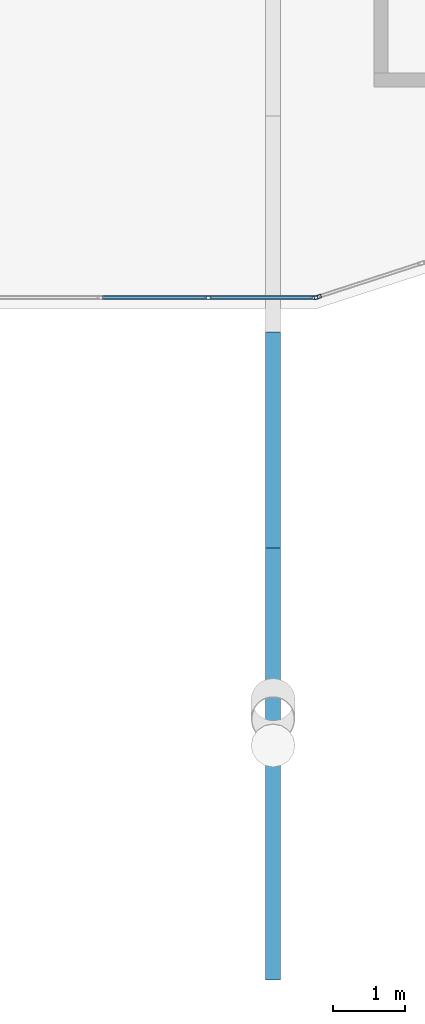
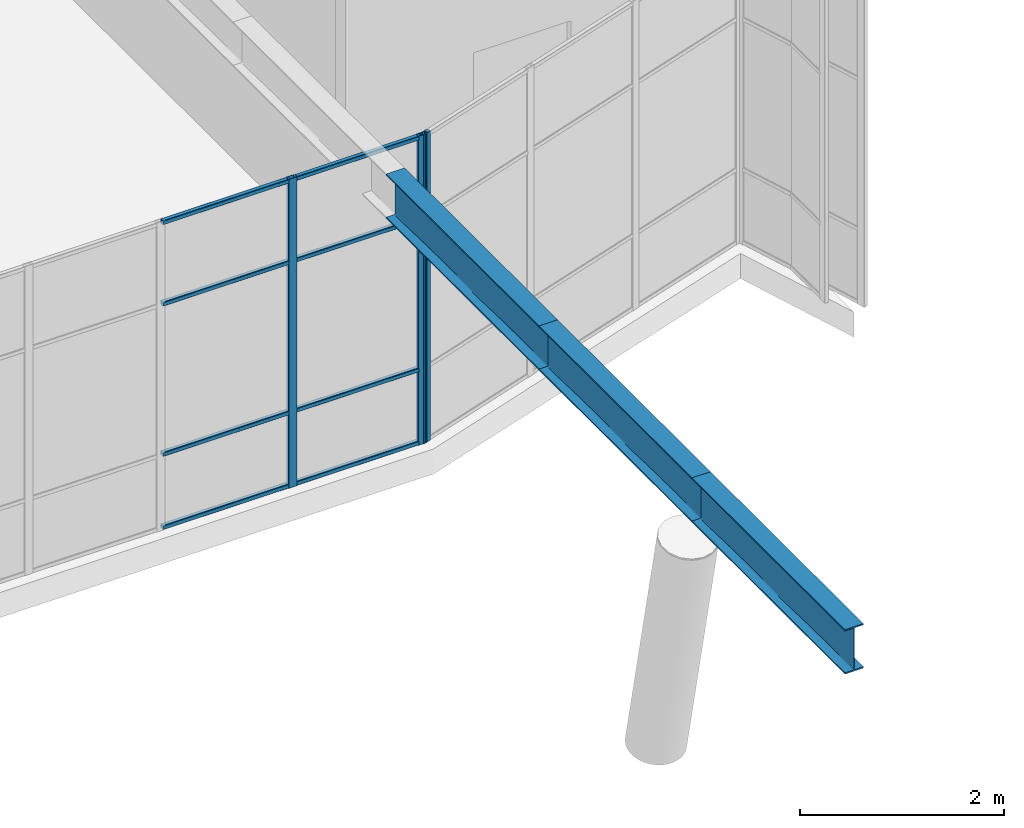
# One storey, part 8 of 65: 14 members, 2 elements without a shape of their own.
"""IFC4 building model written with IfcOpenShell, lengths in metres."""

from ifc_helpers import new_model, si_unit, direction, frame, origin, origin_2d, place, context, subcontext, project, spatial, hollow_rectangle, i_section, extrude, material, layer, layer_set, material_profile, profile_set, type_object, element, aggregate, save


model = new_model("IFC4")

# Units and contexts
model_context = context("Model", 3, precision=1e-05, world=origin(), true_north=direction((0.0, 1.0)))
body_context = subcontext(model_context, "Body", "Model", "MODEL_VIEW")
ifc_project = project(units=[si_unit("LENGTHUNIT", "METRE"), si_unit("AREAUNIT", "SQUARE_METRE"), si_unit("VOLUMEUNIT", "CUBIC_METRE"), si_unit("PLANEANGLEUNIT", "RADIAN"), si_unit("MASSUNIT", "GRAM", prefix="KILO")], contexts=[model_context])

# Site, building, storey
site_placement = place(None, origin())
site = spatial("IfcSite", under=ifc_project, at=site_placement, CompositionType="ELEMENT")
building_placement = place(site_placement, origin())
building = spatial("IfcBuilding", under=site, at=building_placement, Name="Tuart Plaza Theatre", CompositionType="ELEMENT")
storey_placement = place(building_placement, frame((0.0, 0.0, 9.5)))
storey = spatial("IfcBuildingStorey", under=building, at=storey_placement, Name="L02", CompositionType="ELEMENT", Elevation=9.5)

# Members
ifc_material_1 = material(Name="Steel Grade 300", Category="steel")
ifc_material_profile_1 = material_profile(ifc_material_1, i_section(OverallWidth=0.208984375, OverallDepth=0.532958984375, WebThickness=0.01025390625, FlangeThickness=0.015625, FilletRadius=0.013916015625, at=origin_2d()), Name="530UB92.4")
ifc_profile_set_1 = profile_set([ifc_material_profile_1], Name="Steel Grade 300")
member_type_1 = type_object("IfcMemberType", Name="BELT TRUSS Chord 530UB92.4", PredefinedType="CHORD", material=ifc_profile_set_1)
for number, where, z_axis, x_axis, name in (
    (1, (105.0, 32.0, 3.47998046875), (0.0, 1.0, 0.0), (-1.0, 0.0, 0.0), "CH54"),
    (2, (105.0, 35.0, 3.47998046875), (0.0, 1.0, 0.0), (-1.0, 0.0, 0.0), "CH55"),
    (3, (105.0, 38.0, 3.47998046875), (0.0, 1.0, 0.0), (-1.0, 0.0, 0.0), "CH56"),
):
    element("IfcMember", number, at=place(storey_placement, frame(where, z_axis=z_axis, x_axis=x_axis)), inside=storey, type_object=member_type_1, Name=name, PredefinedType="CHORD", context=body_context, shape_type="SweptSolid", body=[
        extrude(i_section(OverallWidth=0.208984375, OverallDepth=0.532958984375, WebThickness=0.01025390625, FlangeThickness=0.015625, FilletRadius=0.013916015625, at=origin_2d()), origin(), (0.0, 0.0, 1.0), 3.0),
    ])

# Curtain wall, members
ifc_material_2 = material(Name="Aluminium and glass", Category="aluminium")
ifc_layer = layer(ifc_material_2, 0.10009765625)
ifc_layer_set = layer_set([ifc_layer], Name="CURTAIN WALL 1500 module")
curtain_wall_type = type_object("IfcCurtainWallType", Name="CURTAIN WALL 1500 module", PredefinedType="NOTDEFINED", material=ifc_layer_set)
curtain_wall_1_placement = place(storey_placement, origin())
curtain_wall_1 = element("IfcCurtainWall", 4, at=curtain_wall_1_placement, inside=storey, type_object=curtain_wall_type, Name="CW30", PredefinedType="NOTDEFINED")
ifc_material_3 = material(Name="Aluminium 6063-T5", Category="aluminium")
ifc_material_profile_2 = material_profile(ifc_material_3, hollow_rectangle(XDim=0.050048828125, YDim=0.10009765625, WallThickness=0.00390625, InnerFilletRadius=0.00390625, OuterFilletRadius=0.008056640625, at=origin_2d()), Name="RHS 100x50x4")
ifc_profile_set_2 = profile_set([ifc_material_profile_2], Name="Aluminium 6063-T5")
member_type_2 = type_object("IfcMemberType", Name="MULLION RHS 100x50x4", PredefinedType="MULLION", material=ifc_profile_set_2)
member_1_placement = place(storey_placement, frame((104.10107421875, 41.47900390625, 0.0), z_axis=(0.0, 0.0, 1.0), x_axis=(0.0, 1.0, 0.0)))
member_1 = element("IfcMember", 5, at=member_1_placement, type_object=member_type_2, Name="CW30 mullion 5", PredefinedType="MULLION", context=body_context, shape_type="SweptSolid", body=[
    extrude(hollow_rectangle(XDim=0.050048828125, YDim=0.10009765625, WallThickness=0.00390625, InnerFilletRadius=0.00390625, OuterFilletRadius=0.008056640625, at=origin_2d()), origin(), (0.0, 0.0, 1.0), 3.699951171875),
])
member_2_placement = place(storey_placement, frame((105.5712890625, 41.47900390625, 0.0), z_axis=(0.0, 0.0, 1.0), x_axis=(0.0, 1.0, 0.0)))
member_2 = element("IfcMember", 6, at=member_2_placement, type_object=member_type_2, Name="CW30 mullion 6", PredefinedType="MULLION", context=body_context, shape_type="SweptSolid", body=[
    extrude(hollow_rectangle(XDim=0.050048828125, YDim=0.10009765625, WallThickness=0.00390625, InnerFilletRadius=0.00390625, OuterFilletRadius=0.008056640625, at=origin_2d()), origin(), (0.0, 0.0, 1.0), 3.699951171875),
])

# Curtain wall, member
curtain_wall_2_placement = place(storey_placement, origin())
curtain_wall_2 = element("IfcCurtainWall", 7, at=curtain_wall_2_placement, inside=storey, type_object=curtain_wall_type, Name="CW31", PredefinedType="NOTDEFINED")
member_3_placement = place(storey_placement, frame((105.6201171875, 41.48681640625, 0.0), z_axis=(0.0, 0.0, 1.0), x_axis=(-0.308885075459, 0.951099369235, 0.0)))
member_3 = element("IfcMember", 8, at=member_3_placement, type_object=member_type_2, Name="CW31 mullion 1", PredefinedType="MULLION", context=body_context, shape_type="SweptSolid", body=[
    extrude(hollow_rectangle(XDim=0.050048828125, YDim=0.10009765625, WallThickness=0.00390625, InnerFilletRadius=0.00390625, OuterFilletRadius=0.008056640625, at=origin_2d()), origin(), (0.0, 0.0, 1.0), 3.699951171875),
])
aggregate(curtain_wall_2, [member_3])

# Member
ifc_material_4 = material(Name="Aluminium 6063-T5", Category="aluminium")
ifc_material_profile_3 = material_profile(ifc_material_4, hollow_rectangle(XDim=0.050048828125, YDim=0.050048828125, WallThickness=0.00390625, InnerFilletRadius=0.00390625, OuterFilletRadius=0.008056640625, at=origin_2d()), Name="RHS 50x50x4")
ifc_profile_set_3 = profile_set([ifc_material_profile_3], Name="Aluminium 6063-T5")
member_type_3 = type_object("IfcMemberType", Name="TRANSOM RHS 50x50x4", PredefinedType="USERDEFINED", material=ifc_profile_set_3)
member_4_placement = place(storey_placement, frame((102.630859375, 41.47900390625, 0.02490234375), z_axis=(1.0, 0.0, 0.0), x_axis=(0.0, 1.0, 0.0)))
member_4 = element("IfcMember", 9, at=member_4_placement, type_object=member_type_3, Name="CW30 transom 4.1", ObjectType="TRANSOM", PredefinedType="USERDEFINED", context=body_context, shape_type="SweptSolid", body=[
    extrude(hollow_rectangle(XDim=0.050048828125, YDim=0.050048828125, WallThickness=0.00390625, InnerFilletRadius=0.00390625, OuterFilletRadius=0.008056640625, at=origin_2d()), origin(), (0.0, 0.0, 1.0), 1.445068359375),
])

member_5_placement = place(storey_placement, frame((102.630859375, 41.47900390625, 0.89990234375), z_axis=(1.0, 0.0, 0.0), x_axis=(0.0, 1.0, 0.0)))
member_5 = element("IfcMember", 10, at=member_5_placement, type_object=member_type_3, Name="CW30 transom 4.2", ObjectType="TRANSOM", PredefinedType="USERDEFINED", context=body_context, shape_type="SweptSolid", body=[
    extrude(hollow_rectangle(XDim=0.050048828125, YDim=0.050048828125, WallThickness=0.00390625, InnerFilletRadius=0.00390625, OuterFilletRadius=0.008056640625, at=origin_2d()), origin(), (0.0, 0.0, 1.0), 1.445068359375),
])

member_6_placement = place(storey_placement, frame((102.630859375, 41.47900390625, 2.699951171875), z_axis=(1.0, 0.0, 0.0), x_axis=(0.0, 1.0, 0.0)))
member_6 = element("IfcMember", 11, at=member_6_placement, type_object=member_type_3, Name="CW30 transom 4.3", ObjectType="TRANSOM", PredefinedType="USERDEFINED", context=body_context, shape_type="SweptSolid", body=[
    extrude(hollow_rectangle(XDim=0.050048828125, YDim=0.050048828125, WallThickness=0.00390625, InnerFilletRadius=0.00390625, OuterFilletRadius=0.008056640625, at=origin_2d()), origin(), (0.0, 0.0, 1.0), 1.445068359375),
])

member_7_placement = place(storey_placement, frame((102.630859375, 41.47900390625, 3.675048828125), z_axis=(1.0, 0.0, 0.0), x_axis=(0.0, 1.0, 0.0)))
member_7 = element("IfcMember", 12, at=member_7_placement, type_object=member_type_3, Name="CW30 transom 4.4", ObjectType="TRANSOM", PredefinedType="USERDEFINED", context=body_context, shape_type="SweptSolid", body=[
    extrude(hollow_rectangle(XDim=0.050048828125, YDim=0.050048828125, WallThickness=0.00390625, InnerFilletRadius=0.00390625, OuterFilletRadius=0.008056640625, at=origin_2d()), origin(), (0.0, 0.0, 1.0), 1.445068359375),
])

member_8_placement = place(storey_placement, frame((104.1259765625, 41.47900390625, 0.02490234375), z_axis=(1.0, 0.0, 0.0), x_axis=(0.0, 1.0, 0.0)))
member_8 = element("IfcMember", 13, at=member_8_placement, type_object=member_type_3, Name="CW30 transom 5.1", ObjectType="TRANSOM", PredefinedType="USERDEFINED", context=body_context, shape_type="SweptSolid", body=[
    extrude(hollow_rectangle(XDim=0.050048828125, YDim=0.050048828125, WallThickness=0.00390625, InnerFilletRadius=0.00390625, OuterFilletRadius=0.008056640625, at=origin_2d()), origin(), (0.0, 0.0, 1.0), 1.420166015625),
])

member_9_placement = place(storey_placement, frame((104.1259765625, 41.47900390625, 0.89990234375), z_axis=(1.0, 0.0, 0.0), x_axis=(0.0, 1.0, 0.0)))
member_9 = element("IfcMember", 14, at=member_9_placement, type_object=member_type_3, Name="CW30 transom 5.2", ObjectType="TRANSOM", PredefinedType="USERDEFINED", context=body_context, shape_type="SweptSolid", body=[
    extrude(hollow_rectangle(XDim=0.050048828125, YDim=0.050048828125, WallThickness=0.00390625, InnerFilletRadius=0.00390625, OuterFilletRadius=0.008056640625, at=origin_2d()), origin(), (0.0, 0.0, 1.0), 1.420166015625),
])

member_10_placement = place(storey_placement, frame((104.1259765625, 41.47900390625, 2.699951171875), z_axis=(1.0, 0.0, 0.0), x_axis=(0.0, 1.0, 0.0)))
member_10 = element("IfcMember", 15, at=member_10_placement, type_object=member_type_3, Name="CW30 transom 5.3", ObjectType="TRANSOM", PredefinedType="USERDEFINED", context=body_context, shape_type="SweptSolid", body=[
    extrude(hollow_rectangle(XDim=0.050048828125, YDim=0.050048828125, WallThickness=0.00390625, InnerFilletRadius=0.00390625, OuterFilletRadius=0.008056640625, at=origin_2d()), origin(), (0.0, 0.0, 1.0), 1.420166015625),
])

member_11_placement = place(storey_placement, frame((104.1259765625, 41.47900390625, 3.675048828125), z_axis=(1.0, 0.0, 0.0), x_axis=(0.0, 1.0, 0.0)))
member_11 = element("IfcMember", 16, at=member_11_placement, type_object=member_type_3, Name="CW30 transom 5.4", ObjectType="TRANSOM", PredefinedType="USERDEFINED", context=body_context, shape_type="SweptSolid", body=[
    extrude(hollow_rectangle(XDim=0.050048828125, YDim=0.050048828125, WallThickness=0.00390625, InnerFilletRadius=0.00390625, OuterFilletRadius=0.008056640625, at=origin_2d()), origin(), (0.0, 0.0, 1.0), 1.420166015625),
])

aggregate(curtain_wall_1, [member_1, member_2, member_4, member_5, member_6, member_7, member_8, member_9, member_10, member_11])

save(model, "model.ifc")
